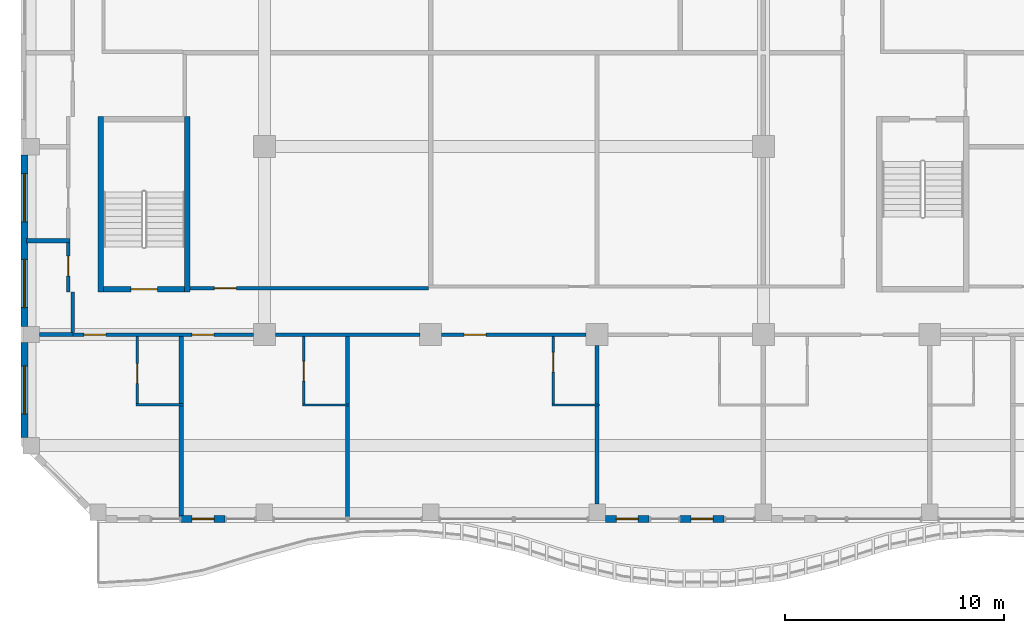
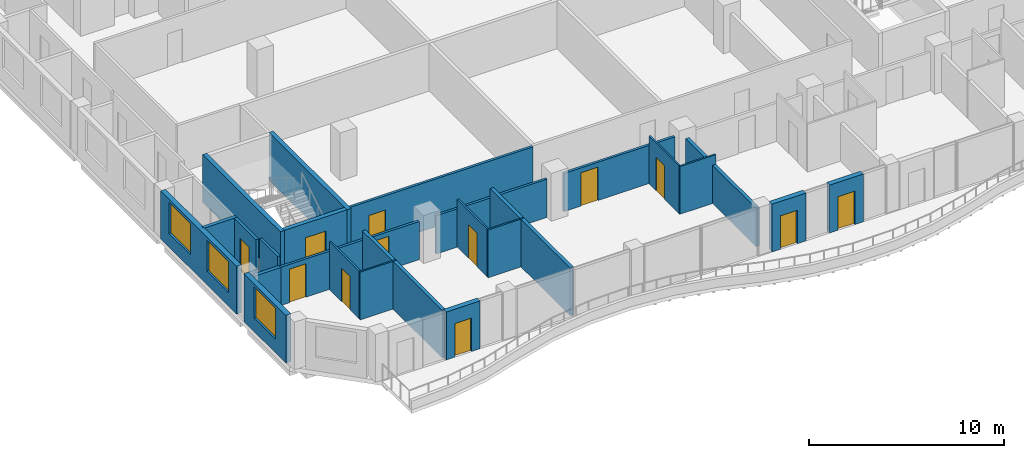
# One storey, part 10 of 22: 28 walls, 12 doors, 3 windows, 15 openings.
"""IFC4 building model written with IfcOpenShell, lengths in metres."""

from ifc_helpers import new_model, si_unit, direction, frame, frame_2d, origin, place, context, subcontext, project, spatial, rectangle, extrude, source, transform, mapped, material, layer, layer_set, type_object, element, fill, save


model = new_model("IFC4")

# Units and contexts
model_context = context("Model", 3, precision=1e-05, world=origin(), true_north=direction((0.0, 1.0)))
body_context = subcontext(model_context, "Body", "Model", "MODEL_VIEW")
ifc_project = project(units=[si_unit("LENGTHUNIT", "METRE"), si_unit("AREAUNIT", "SQUARE_METRE"), si_unit("VOLUMEUNIT", "CUBIC_METRE"), si_unit("PLANEANGLEUNIT", "RADIAN"), si_unit("MASSUNIT", "GRAM", prefix="KILO")], contexts=[model_context])

# Site, building, storey
site_placement = place(None, origin())
site = spatial("IfcSite", under=ifc_project, at=site_placement, CompositionType="ELEMENT")
building_placement = place(site_placement, origin())
building = spatial("IfcBuilding", under=site, at=building_placement, Name="Kilnfold Tower and Market Hall", CompositionType="ELEMENT")
storey_placement = place(building_placement, frame((0.0, 0.0, 220.300048828125)))
storey = spatial("IfcBuildingStorey", under=building, at=storey_placement, Name="L54", CompositionType="ELEMENT", Elevation=220.300048828125)

# Wall, openings, doors
ifc_material_1 = material(Name="Gypsum board on steel studs", Category="steel")
ifc_layer_1 = layer(ifc_material_1, 0.14990234375)
ifc_layer_set_1 = layer_set([ifc_layer_1], Name="Gypsum board on steel studs")
wall_type_1 = type_object("IfcWallType", Name="WALL CORRIDOR 150", PredefinedType="PARTITIONING", material=ifc_layer_set_1)
wall_1_placement = place(storey_placement, frame((-18.89990234375, -17.699951171875, 0.0), z_axis=(0.0, 0.0, 1.0), x_axis=(1.0, 0.0, 0.0)))
wall_1 = element("IfcWall", 1, at=wall_1_placement, inside=storey, type_object=wall_type_1, Name="Partition LY32.1", PredefinedType="PARTITIONING", context=body_context, shape_type="SweptSolid", body=[
    extrude(rectangle(XDim=8.23291015625, YDim=0.14990234375, at=frame_2d((4.116455078125, 0.0))), origin(), (0.0, 0.0, 1.0), 2.39990234375),
])
opening_1_placement = place(wall_1_placement, frame((0.510009765625, 0.0, 0.0)))
opening_1 = element("IfcOpeningElement", 2, at=opening_1_placement, cuts=wall_1, Name="Opening D1", PredefinedType="OPENING", context=body_context, shape_type="SweptSolid", body=[
    extrude(rectangle(XDim=1.0, YDim=2.10009765625, at=frame_2d((0.5, 1.050048828125))), frame((0.0, 0.0849609375, 0.0), z_axis=(0.0, -1.0, 0.0), x_axis=(1.0, 0.0, 0.0)), (0.0, 0.0, 1.0), 0.169921875),
])
opening_2_placement = place(wall_1_placement, frame((5.430908203125, 0.0, 0.0)))
opening_2 = element("IfcOpeningElement", 3, at=opening_2_placement, cuts=wall_1, Name="Opening D1", PredefinedType="OPENING", context=body_context, shape_type="SweptSolid", body=[
    extrude(rectangle(XDim=1.0, YDim=2.10009765625, at=frame_2d((0.5, 1.050048828125))), frame((0.0, 0.0849609375, 0.0), z_axis=(0.0, -1.0, 0.0), x_axis=(1.0, 0.0, 0.0)), (0.0, 0.0, 1.0), 0.169921875),
])
ifc_material_2 = material(Name="Timber veneer door leaf in steel frame", Category="steel")
door_type_1 = type_object("IfcDoorType", Name="DOOR ENTRY 1000 X2100", OperationType="NOTDEFINED", PredefinedType="DOOR", material=ifc_material_2)
door_1_placement = place(opening_1_placement, origin())
door_1 = element("IfcDoor", 4, at=door_1_placement, inside=storey, type_object=door_type_1, Name="Door D1", OperationType="SINGLE_SWING_RIGHT", OverallHeight=2.10009765625, OverallWidth=1.0, PredefinedType="DOOR", context=body_context, shape_type="SweptSolid", body=[
    extrude(rectangle(XDim=1.0, YDim=2.10009765625, at=frame_2d((0.5, 1.050048828125))), frame((0.0, 0.02490234375, 0.0), z_axis=(0.0, -1.0, 0.0), x_axis=(1.0, 0.0, 0.0)), (0.0, 0.0, 1.0), 0.050048828125),
])
fill(opening_1, door_1)
door_2_placement = place(opening_2_placement, origin())
door_2 = element("IfcDoor", 5, at=door_2_placement, inside=storey, type_object=door_type_1, Name="Door D1", OperationType="SINGLE_SWING_RIGHT", OverallHeight=2.10009765625, OverallWidth=1.0, PredefinedType="DOOR", context=body_context, shape_type="SweptSolid", body=[
    extrude(rectangle(XDim=1.0, YDim=2.10009765625, at=frame_2d((0.5, 1.050048828125))), frame((0.0, 0.02490234375, 0.0), z_axis=(0.0, -1.0, 0.0), x_axis=(1.0, 0.0, 0.0)), (0.0, 0.0, 1.0), 0.050048828125),
])
fill(opening_2, door_2)

# Wall
wall_2_placement = place(storey_placement, frame((-9.6669921875, -17.699951171875, 0.0), z_axis=(0.0, 0.0, 1.0), x_axis=(1.0, 0.0, 0.0)))
element("IfcWall", 6, at=wall_2_placement, inside=storey, type_object=wall_type_1, Name="Partition LY32.2", PredefinedType="PARTITIONING", context=body_context, shape_type="SweptSolid", body=[
    extrude(rectangle(XDim=6.583984375, YDim=0.14990234375, at=frame_2d((3.2919921875, 0.0))), origin(), (0.0, 0.0, 1.0), 2.39990234375),
])

# Wall, opening, door
wall_3_placement = place(storey_placement, frame((-2.0830078125, -17.699951171875, 0.0), z_axis=(0.0, 0.0, 1.0), x_axis=(1.0, 0.0, 0.0)))
wall_3 = element("IfcWall", 7, at=wall_3_placement, inside=storey, type_object=wall_type_1, Name="Partition LY32.3", PredefinedType="PARTITIONING", context=body_context, shape_type="SweptSolid", body=[
    extrude(rectangle(XDim=6.5830078125, YDim=0.14990234375, at=frame_2d((3.29150390625, 0.0))), origin(), (0.0, 0.0, 1.0), 2.39990234375),
])
opening_3_placement = place(wall_3_placement, frame((1.02099609375, 0.0, 0.0)))
opening_3 = element("IfcOpeningElement", 8, at=opening_3_placement, cuts=wall_3, Name="Opening D1", PredefinedType="OPENING", context=body_context, shape_type="SweptSolid", body=[
    extrude(rectangle(XDim=1.0, YDim=2.10009765625, at=frame_2d((0.5, 1.050048828125))), frame((0.0, 0.0849609375, 0.0), z_axis=(0.0, -1.0, 0.0), x_axis=(1.0, 0.0, 0.0)), (0.0, 0.0, 1.0), 0.169921875),
])
door_3_placement = place(opening_3_placement, origin())
door_3 = element("IfcDoor", 9, at=door_3_placement, inside=storey, type_object=door_type_1, Name="Door D1", OperationType="SINGLE_SWING_LEFT", OverallHeight=2.10009765625, OverallWidth=1.0, PredefinedType="DOOR", context=body_context, shape_type="SweptSolid", body=[
    extrude(rectangle(XDim=1.0, YDim=2.10009765625, at=frame_2d((0.5, 1.050048828125))), frame((0.0, 0.02490234375, 0.0), z_axis=(0.0, -1.0, 0.0), x_axis=(1.0, 0.0, 0.0)), (0.0, 0.0, 1.0), 0.050048828125),
])
fill(opening_3, door_3)

# Wall
wall_4_placement = place(storey_placement, frame((-18.89990234375, -17.597900390625, 0.0), z_axis=(0.0, 0.0, 1.0), x_axis=(0.0, 1.0, 0.0)))
element("IfcWall", 10, at=wall_4_placement, inside=storey, type_object=wall_type_1, Name="Partition LY32.9", PredefinedType="PARTITIONING", context=body_context, shape_type="SweptSolid", body=[
    extrude(rectangle(XDim=1.85498046875, YDim=0.14990234375, at=frame_2d((0.927490234375, 0.0))), origin(), (0.0, 0.0, 1.0), 3.0),
])

# Wall, opening, door
wall_5_placement = place(storey_placement, frame((-19.113037109375, -15.742919921875, 0.0), z_axis=(0.0, 0.0, 1.0), x_axis=(0.0, 1.0, 0.0)))
wall_5 = element("IfcWall", 11, at=wall_5_placement, inside=storey, type_object=wall_type_1, Name="Partition LY32.10", PredefinedType="PARTITIONING", context=body_context, shape_type="SweptSolid", body=[
    extrude(rectangle(XDim=2.246826171875, YDim=0.14990234375, at=frame_2d((1.12353515625, 0.0))), origin(), (0.0, 0.0, 1.0), 3.0),
])
opening_4_placement = place(wall_5_placement, frame((0.72607421875, 0.0, 0.0)))
opening_4 = element("IfcOpeningElement", 12, at=opening_4_placement, cuts=wall_5, Name="Opening D2", PredefinedType="OPENING", context=body_context, shape_type="SweptSolid", body=[
    extrude(rectangle(XDim=0.89990234375, YDim=2.10009765625, at=frame_2d((0.449951171875, 1.050048828125))), frame((0.0, 0.0849609375, 0.0), z_axis=(0.0, -1.0, 0.0), x_axis=(1.0, 0.0, 0.0)), (0.0, 0.0, 1.0), 0.169921875),
])
ifc_material_3 = material(Name="Timber veneer door leaf in steel frame", Category="steel")
door_type_2 = type_object("IfcDoorType", Name="DOOR ROOM 900 X2100", OperationType="NOTDEFINED", PredefinedType="DOOR", material=ifc_material_3)
door_4_placement = place(opening_4_placement, origin())
door_4 = element("IfcDoor", 13, at=door_4_placement, inside=storey, type_object=door_type_2, Name="Door D2", OperationType="SINGLE_SWING_LEFT", OverallHeight=2.10009765625, OverallWidth=0.89990234375, PredefinedType="DOOR", context=body_context, shape_type="SweptSolid", body=[
    extrude(rectangle(XDim=0.89990234375, YDim=2.10009765625, at=frame_2d((0.449951171875, 1.050048828125))), frame((0.0, 0.02490234375, 0.0), z_axis=(0.0, -1.0, 0.0), x_axis=(1.0, 0.0, 0.0)), (0.0, 0.0, 1.0), 0.050048828125),
])
fill(opening_4, door_4)

wall_6_placement = place(storey_placement, frame((-2.693115234375, -15.574951171875, 0.0), z_axis=(0.0, 0.0, 1.0), x_axis=(-1.0, 0.0, 0.0)))
wall_6 = element("IfcWall", 14, at=wall_6_placement, inside=storey, type_object=wall_type_1, Name="Partition LY32.39", PredefinedType="PARTITIONING", context=body_context, shape_type="SweptSolid", body=[
    extrude(rectangle(XDim=10.85693359375, YDim=0.14990234375, at=frame_2d((5.428466796875, 0.0))), origin(), (0.0, 0.0, 1.0), 3.0),
])
opening_5_placement = place(wall_6_placement, frame((8.75, 0.0, 0.0)))
opening_5 = element("IfcOpeningElement", 15, at=opening_5_placement, cuts=wall_6, Name="Opening D4", PredefinedType="OPENING", context=body_context, shape_type="SweptSolid", body=[
    extrude(rectangle(XDim=1.0, YDim=2.10009765625, at=frame_2d((0.5, 1.050048828125))), frame((0.0, 0.0849609375, 0.0), z_axis=(0.0, -1.0, 0.0), x_axis=(1.0, 0.0, 0.0)), (0.0, 0.0, 1.0), 0.169921875),
])
ifc_material_4 = material(Name="Timber veneer door leaf in steel frame", Category="steel")
door_type_3 = type_object("IfcDoorType", Name="DOOR SERVICE 1000 X2100", OperationType="NOTDEFINED", PredefinedType="DOOR", material=ifc_material_4)
door_5_placement = place(opening_5_placement, origin())
door_5 = element("IfcDoor", 16, at=door_5_placement, inside=storey, type_object=door_type_3, Name="Door D4", OperationType="SINGLE_SWING_RIGHT", OverallHeight=2.10009765625, OverallWidth=1.0, PredefinedType="DOOR", context=body_context, shape_type="SweptSolid", body=[
    extrude(rectangle(XDim=1.0, YDim=2.10009765625, at=frame_2d((0.5, 1.050048828125))), frame((0.0, 0.02490234375, 0.0), z_axis=(0.0, -1.0, 0.0), x_axis=(1.0, 0.0, 0.0)), (0.0, 0.0, 1.0), 0.050048828125),
])
fill(opening_5, door_5)

ifc_material_5 = material(Name="Gypsum board on steel studs", Category="steel")
ifc_layer_2 = layer(ifc_material_5, 0.10009765625)
ifc_layer_set_2 = layer_set([ifc_layer_2], Name="Gypsum board on steel studs")
wall_type_2 = type_object("IfcWallType", Name="WALL PARTITION 100", PredefinedType="PARTITIONING", material=ifc_layer_set_2)
wall_7_placement = place(storey_placement, frame((-15.958984375, -20.837890625, 0.0), z_axis=(0.0, 0.0, 1.0), x_axis=(0.0, 1.0, 0.0)))
wall_7 = element("IfcWall", 17, at=wall_7_placement, inside=storey, type_object=wall_type_2, Name="Partition LY32.42", PredefinedType="PARTITIONING", context=body_context, shape_type="SweptSolid", body=[
    extrude(rectangle(XDim=3.060791015625, YDim=0.10009765625, at=frame_2d((1.5302734375, 0.0))), origin(), (0.0, 0.0, 1.0), 3.0),
])
opening_6_placement = place(wall_7_placement, frame((0.925048828125, 0.0, 0.0)))
opening_6 = element("IfcOpeningElement", 18, at=opening_6_placement, cuts=wall_7, Name="Opening D3", PredefinedType="OPENING", context=body_context, shape_type="SweptSolid", body=[
    extrude(rectangle(XDim=0.89990234375, YDim=2.10009765625, at=frame_2d((0.449951171875, 1.050048828125))), frame((0.0, 0.06005859375, 0.0), z_axis=(0.0, -1.0, 0.0), x_axis=(1.0, 0.0, 0.0)), (0.0, 0.0, 1.0), 0.1201171875),
])
ifc_material_6 = material(Name="Timber veneer door leaf in steel frame", Category="steel")
door_type_4 = type_object("IfcDoorType", Name="DOOR WC 900 X2100", OperationType="NOTDEFINED", PredefinedType="DOOR", material=ifc_material_6)
door_6_placement = place(opening_6_placement, origin())
door_6 = element("IfcDoor", 19, at=door_6_placement, inside=storey, type_object=door_type_4, Name="Door D3", OperationType="SINGLE_SWING_RIGHT", OverallHeight=2.10009765625, OverallWidth=0.89990234375, PredefinedType="DOOR", context=body_context, shape_type="SweptSolid", body=[
    extrude(rectangle(XDim=0.89990234375, YDim=2.10009765625, at=frame_2d((0.449951171875, 1.050048828125))), frame((0.0, 0.02490234375, 0.0), z_axis=(0.0, -1.0, 0.0), x_axis=(1.0, 0.0, 0.0)), (0.0, 0.0, 1.0), 0.050048828125),
])
fill(opening_6, door_6)

# Wall
wall_8_placement = place(storey_placement, frame((-16.009033203125, -20.887939453125, 0.0), z_axis=(0.0, 0.0, 1.0), x_axis=(1.0, 0.0, 0.0)))
element("IfcWall", 20, at=wall_8_placement, inside=storey, type_object=wall_type_2, Name="Partition LY32.43", PredefinedType="PARTITIONING", context=body_context, shape_type="SweptSolid", body=[
    extrude(rectangle(XDim=2.150146484375, YDim=0.10009765625, at=frame_2d((1.0751953125, 0.0))), origin(), (0.0, 0.0, 1.0), 3.0),
])

# Wall, opening, door
wall_9_placement = place(storey_placement, frame((-8.375, -20.85205078125, 0.0), z_axis=(0.0, 0.0, 1.0), x_axis=(0.0, 1.0, 0.0)))
wall_9 = element("IfcWall", 21, at=wall_9_placement, inside=storey, type_object=wall_type_2, Name="Partition LY32.47", PredefinedType="PARTITIONING", context=body_context, shape_type="SweptSolid", body=[
    extrude(rectangle(XDim=3.074951171875, YDim=0.10009765625, at=frame_2d((1.53759765625, 0.0))), origin(), (0.0, 0.0, 1.0), 3.0),
])
opening_7_placement = place(wall_9_placement, frame((1.034912109375, 0.0, 0.0)))
opening_7 = element("IfcOpeningElement", 22, at=opening_7_placement, cuts=wall_9, Name="Opening D3", PredefinedType="OPENING", context=body_context, shape_type="SweptSolid", body=[
    extrude(rectangle(XDim=0.89990234375, YDim=2.10009765625, at=frame_2d((0.449951171875, 1.050048828125))), frame((0.0, 0.06005859375, 0.0), z_axis=(0.0, -1.0, 0.0), x_axis=(1.0, 0.0, 0.0)), (0.0, 0.0, 1.0), 0.1201171875),
])
door_7_placement = place(opening_7_placement, origin())
door_7 = element("IfcDoor", 23, at=door_7_placement, inside=storey, type_object=door_type_4, Name="Door D3", OperationType="SINGLE_SWING_LEFT", OverallHeight=2.10009765625, OverallWidth=0.89990234375, PredefinedType="DOOR", context=body_context, shape_type="SweptSolid", body=[
    extrude(rectangle(XDim=0.89990234375, YDim=2.10009765625, at=frame_2d((0.449951171875, 1.050048828125))), frame((0.0, 0.02490234375, 0.0), z_axis=(0.0, -1.0, 0.0), x_axis=(1.0, 0.0, 0.0)), (0.0, 0.0, 1.0), 0.050048828125),
])
fill(opening_7, door_7)

# Wall
wall_10_placement = place(storey_placement, frame((-8.425048828125, -20.902099609375, 0.0), z_axis=(0.0, 0.0, 1.0), x_axis=(1.0, 0.0, 0.0)))
element("IfcWall", 24, at=wall_10_placement, inside=storey, type_object=wall_type_2, Name="Partition LY32.48", PredefinedType="PARTITIONING", context=body_context, shape_type="SweptSolid", body=[
    extrude(rectangle(XDim=2.150146484375, YDim=0.10009765625, at=frame_2d((1.0751953125, 0.0))), origin(), (0.0, 0.0, 1.0), 3.0),
])

# Wall, opening, door
wall_11_placement = place(storey_placement, frame((3.0, -20.85205078125, 0.0), z_axis=(0.0, 0.0, 1.0), x_axis=(0.0, 1.0, 0.0)))
wall_11 = element("IfcWall", 25, at=wall_11_placement, inside=storey, type_object=wall_type_2, Name="Partition LY32.51", PredefinedType="PARTITIONING", context=body_context, shape_type="SweptSolid", body=[
    extrude(rectangle(XDim=3.074951171875, YDim=0.10009765625, at=frame_2d((1.53759765625, 0.0))), origin(), (0.0, 0.0, 1.0), 3.0),
])
opening_8_placement = place(wall_11_placement, frame((1.452880859375, 0.0, 0.0)))
opening_8 = element("IfcOpeningElement", 26, at=opening_8_placement, cuts=wall_11, Name="Opening D3", PredefinedType="OPENING", context=body_context, shape_type="SweptSolid", body=[
    extrude(rectangle(XDim=0.89990234375, YDim=2.10009765625, at=frame_2d((0.449951171875, 1.050048828125))), frame((0.0, 0.06005859375, 0.0), z_axis=(0.0, -1.0, 0.0), x_axis=(1.0, 0.0, 0.0)), (0.0, 0.0, 1.0), 0.1201171875),
])
door_8_placement = place(opening_8_placement, origin())
door_8 = element("IfcDoor", 27, at=door_8_placement, inside=storey, type_object=door_type_4, Name="Door D3", OperationType="SINGLE_SWING_LEFT", OverallHeight=2.10009765625, OverallWidth=0.89990234375, PredefinedType="DOOR", context=body_context, shape_type="SweptSolid", body=[
    extrude(rectangle(XDim=0.89990234375, YDim=2.10009765625, at=frame_2d((0.449951171875, 1.050048828125))), frame((0.0, 0.02490234375, 0.0), z_axis=(0.0, -1.0, 0.0), x_axis=(1.0, 0.0, 0.0)), (0.0, 0.0, 1.0), 0.050048828125),
])
fill(opening_8, door_8)

# Walls
wall_12_placement = place(storey_placement, frame((2.949951171875, -20.902099609375, 0.0), z_axis=(0.0, 0.0, 1.0), x_axis=(1.0, 0.0, 0.0)))
element("IfcWall", 28, at=wall_12_placement, inside=storey, type_object=wall_type_2, Name="Partition LY32.52", PredefinedType="PARTITIONING", context=body_context, shape_type="SweptSolid", body=[
    extrude(rectangle(XDim=2.150146484375, YDim=0.10009765625, at=frame_2d((1.0751953125, 0.0))), origin(), (0.0, 0.0, 1.0), 3.0),
])
ifc_material_7 = material(Name="Gypsum board on steel studs", Category="steel")
ifc_layer_3 = layer(ifc_material_7, 0.199951171875)
ifc_layer_set_3 = layer_set([ifc_layer_3], Name="Gypsum board on steel studs")
wall_type_3 = type_object("IfcWallType", Name="WALL PARTY 200", PredefinedType="PARTITIONING", material=ifc_layer_set_3)
wall_13_placement = place(storey_placement, frame((-13.958984375, -26.0, 0.0), z_axis=(0.0, 0.0, 1.0), x_axis=(0.0, 1.0, 0.0)))
element("IfcWall", 29, at=wall_13_placement, inside=storey, type_object=wall_type_3, Name="Partition LY32.44", PredefinedType="PARTITIONING", context=body_context, shape_type="SweptSolid", body=[
    extrude(rectangle(XDim=5.06201171875, YDim=0.199951171875, at=frame_2d((2.531005859375, 0.0))), origin(), (0.0, 0.0, 1.0), 3.0),
])
wall_14_placement = place(storey_placement, frame((-20.425048828125, -17.68798828125, 0.0), z_axis=(0.0, 0.0, 1.0), x_axis=(1.0, 0.0, 0.0)))
element("IfcWall", 30, at=wall_14_placement, inside=storey, type_object=wall_type_3, Name="Partition LY32.45", PredefinedType="PARTITIONING", context=body_context, shape_type="SweptSolid", body=[
    extrude(rectangle(XDim=1.52294921875, YDim=0.199951171875, at=frame_2d((0.761474609375, 0.0))), origin(), (0.0, 0.0, 1.0), 2.39990234375),
])
wall_15_placement = place(storey_placement, frame((-13.958984375, -20.837890625, 0.0), z_axis=(0.0, 0.0, 1.0), x_axis=(0.0, 1.0, 0.0)))
element("IfcWall", 31, at=wall_15_placement, inside=storey, type_object=wall_type_3, Name="Partition LY32.46", PredefinedType="PARTITIONING", context=body_context, shape_type="SweptSolid", body=[
    extrude(rectangle(XDim=3.060791015625, YDim=0.199951171875, at=frame_2d((1.5302734375, 0.0))), origin(), (0.0, 0.0, 1.0), 3.0),
])
wall_16_placement = place(storey_placement, frame((-6.375, -26.0, 0.0), z_axis=(0.0, 0.0, 1.0), x_axis=(0.0, 1.0, 0.0)))
element("IfcWall", 32, at=wall_16_placement, inside=storey, type_object=wall_type_3, Name="Partition LY32.49", PredefinedType="PARTITIONING", context=body_context, shape_type="SweptSolid", body=[
    extrude(rectangle(XDim=5.048095703125, YDim=0.199951171875, at=frame_2d((2.52392578125, 0.0))), origin(), (0.0, 0.0, 1.0), 3.0),
])
wall_17_placement = place(storey_placement, frame((-6.375, -20.85205078125, 0.0), z_axis=(0.0, 0.0, 1.0), x_axis=(0.0, 1.0, 0.0)))
element("IfcWall", 33, at=wall_17_placement, inside=storey, type_object=wall_type_3, Name="Partition LY32.50", PredefinedType="PARTITIONING", context=body_context, shape_type="SweptSolid", body=[
    extrude(rectangle(XDim=3.074951171875, YDim=0.199951171875, at=frame_2d((1.53759765625, 0.0))), origin(), (0.0, 0.0, 1.0), 3.0),
])
wall_18_placement = place(storey_placement, frame((5.0, -25.425048828125, 0.0), z_axis=(0.0, 0.0, 1.0), x_axis=(0.0, 1.0, 0.0)))
element("IfcWall", 34, at=wall_18_placement, inside=storey, type_object=wall_type_3, Name="Partition LY32.53", PredefinedType="PARTITIONING", context=body_context, shape_type="SweptSolid", body=[
    extrude(rectangle(XDim=4.47314453125, YDim=0.199951171875, at=frame_2d((2.236572265625, 0.0))), origin(), (0.0, 0.0, 1.0), 2.39990234375),
])
wall_19_placement = place(storey_placement, frame((5.0, -20.85205078125, 0.0), z_axis=(0.0, 0.0, 1.0), x_axis=(0.0, 1.0, 0.0)))
element("IfcWall", 35, at=wall_19_placement, inside=storey, type_object=wall_type_3, Name="Partition LY32.54", PredefinedType="PARTITIONING", context=body_context, shape_type="SweptSolid", body=[
    extrude(rectangle(XDim=2.6640625, YDim=0.199951171875, at=frame_2d((1.33203125, 0.0))), origin(), (0.0, 0.0, 1.0), 2.39990234375),
])
wall_20_placement = place(storey_placement, frame((-19.027099609375, -13.406005859375, 0.0), z_axis=(0.0, 0.0, 1.0), x_axis=(-1.0, 0.0, 0.0)))
element("IfcWall", 36, at=wall_20_placement, inside=storey, type_object=wall_type_3, Name="Partition LY32.71", PredefinedType="PARTITIONING", context=body_context, shape_type="SweptSolid", body=[
    extrude(rectangle(XDim=1.972900390625, YDim=0.199951171875, at=frame_2d((0.986328125, 0.0))), origin(), (0.0, 0.0, 1.0), 3.0),
])

# Wall, opening, door
ifc_material_8 = material(Name="Concrete C60", Category="concrete")
ifc_layer_4 = layer(ifc_material_8, 0.25)
ifc_layer_set_4 = layer_set([ifc_layer_4], Name="Concrete C60")
wall_type_4 = type_object("IfcWallType", Name="CORE WALL 250 C60", PredefinedType="SHEAR", material=ifc_layer_set_4)
shared_shape_1 = source(origin(), body_context, "Body", "SweptSolid", [
    extrude(rectangle(XDim=3.699951171875, YDim=0.25, at=frame_2d((1.85009765625, 0.0))), origin(), (0.0, 0.0, 1.0), 3.0),
])
wall_21_placement = place(storey_placement, frame((-17.5, -15.625, 0.0), z_axis=(0.0, 0.0, 1.0), x_axis=(1.0, 0.0, 0.0)))
wall_21 = element("IfcWall", 37, at=wall_21_placement, inside=storey, type_object=wall_type_4, Name="Stair enclosure ST3", PredefinedType="SHEAR", context=body_context, shape_type="MappedRepresentation", body=[
    mapped(shared_shape_1, transform((0.0, 0.0, 0.0))),
])
opening_9_placement = place(wall_21_placement, frame((1.25, 0.0, 0.0)))
opening_9 = element("IfcOpeningElement", 38, at=opening_9_placement, cuts=wall_21, Name="Opening SD1", PredefinedType="OPENING", context=body_context, shape_type="SweptSolid", body=[
    extrude(rectangle(XDim=1.199951171875, YDim=2.10009765625, at=frame_2d((0.60009765625, 1.050048828125))), frame((0.0, 0.135009765625, 0.0), z_axis=(0.0, -1.0, 0.0), x_axis=(1.0, 0.0, 0.0)), (0.0, 0.0, 1.0), 0.27001953125),
])
ifc_material_9 = material(Name="Steel door set with fire-resisting leaf", Category="steel")
door_type_5 = type_object("IfcDoorType", Name="STAIR FLOOR DOOR 1200X2100", OperationType="NOTDEFINED", PredefinedType="DOOR", material=ifc_material_9)
door_9_placement = place(opening_9_placement, origin())
door_9 = element("IfcDoor", 39, at=door_9_placement, inside=storey, type_object=door_type_5, Name="Exit stair ST3 door", OperationType="DOUBLE_DOOR_SINGLE_SWING", OverallHeight=2.10009765625, OverallWidth=1.199951171875, PredefinedType="DOOR", context=body_context, shape_type="SweptSolid", body=[
    extrude(rectangle(XDim=1.199951171875, YDim=2.10009765625, at=frame_2d((0.60009765625, 1.050048828125))), frame((0.0, 0.02490234375, 0.0), z_axis=(0.0, -1.0, 0.0), x_axis=(1.0, 0.0, 0.0)), (0.0, 0.0, 1.0), 0.050048828125),
])
fill(opening_9, door_9)

# Walls
shared_shape_2 = source(origin(), body_context, "Body", "SweptSolid", [
    extrude(rectangle(XDim=8.0, YDim=0.25, at=frame_2d((4.0, 0.0))), origin(), (0.0, 0.0, 1.0), 3.0),
])
for number, where, z_axis, x_axis, name in (
    (40, (-17.625, -15.75, 0.0), (0.0, 0.0, 1.0), (0.0, 1.0, 0.0), "Stair enclosure ST3"),
    (41, (-13.675048828125, -15.75, 0.0), (0.0, 0.0, 1.0), (0.0, 1.0, 0.0), "Stair enclosure ST3"),
):
    element("IfcWall", number, at=place(storey_placement, frame(where, z_axis=z_axis, x_axis=x_axis)), inside=storey, type_object=wall_type_4, Name=name, PredefinedType="SHEAR", context=body_context, shape_type="MappedRepresentation", body=[
        mapped(shared_shape_2, transform((0.0, 0.0, 0.0))),
    ])

# Wall, opening, door
ifc_material_10 = material(Name="Precast concrete C50/60", Category="concrete")
ifc_layer_5 = layer(ifc_material_10, 0.300048828125)
ifc_layer_set_5 = layer_set([ifc_layer_5], Name="Precast concrete C50/60")
wall_type_5 = type_object("IfcWallType", Name="PRECAST WALL 300", PredefinedType="SOLIDWALL", material=ifc_layer_set_5)
shared_shape_3 = source(origin(), body_context, "Body", "SweptSolid", [
    extrude(rectangle(XDim=2.0, YDim=0.300048828125, at=frame_2d((1.0, 0.0))), origin(), (0.0, 0.0, 1.0), 3.0),
])
wall_22_placement = place(storey_placement, frame((-13.958251953125, -26.10009765625, 0.0), z_axis=(0.0, 0.0, 1.0), x_axis=(1.0, 0.0, 0.0)))
wall_22 = element("IfcWall", 42, at=wall_22_placement, inside=storey, type_object=wall_type_5, Name="External wall L54 S", PredefinedType="SOLIDWALL", context=body_context, shape_type="MappedRepresentation", body=[
    mapped(shared_shape_3, transform((0.0, 0.0, 0.0))),
])
opening_10_placement = place(wall_22_placement, frame((0.5, 0.0, 0.0)))
opening_10 = element("IfcOpeningElement", 43, at=opening_10_placement, cuts=wall_22, Name="Opening BD1", PredefinedType="OPENING", context=body_context, shape_type="SweptSolid", body=[
    extrude(rectangle(XDim=1.0, YDim=2.10009765625, at=frame_2d((0.5, 1.050048828125))), frame((0.0, 0.16015625, 0.0), z_axis=(0.0, -1.0, 0.0), x_axis=(1.0, 0.0, 0.0)), (0.0, 0.0, 1.0), 0.320068359375),
])
ifc_material_11 = material(Name="Aluminium frame and double glazing", Category="aluminium")
door_type_6 = type_object("IfcDoorType", Name="BALCONY DOOR 1000X2100", OperationType="NOTDEFINED", PredefinedType="DOOR", material=ifc_material_11)
door_10_placement = place(opening_10_placement, origin())
door_10 = element("IfcDoor", 44, at=door_10_placement, inside=storey, type_object=door_type_6, Name="Balcony door BD1 L54 S-2", OperationType="SINGLE_SWING_RIGHT", OverallHeight=2.10009765625, OverallWidth=1.0, PredefinedType="DOOR", context=body_context, shape_type="SweptSolid", body=[
    extrude(rectangle(XDim=1.0, YDim=2.10009765625, at=frame_2d((0.5, 1.050048828125))), frame((0.0, 0.02490234375, 0.0), z_axis=(0.0, -1.0, 0.0), x_axis=(1.0, 0.0, 0.0)), (0.0, 0.0, 1.0), 0.050048828125),
])
fill(opening_10, door_10)

wall_23_placement = place(storey_placement, frame((5.375, -26.10009765625, 0.0), z_axis=(0.0, 0.0, 1.0), x_axis=(1.0, 0.0, 0.0)))
wall_23 = element("IfcWall", 45, at=wall_23_placement, inside=storey, type_object=wall_type_5, Name="External wall L54 S", PredefinedType="SOLIDWALL", context=body_context, shape_type="MappedRepresentation", body=[
    mapped(shared_shape_3, transform((0.0, 0.0, 0.0))),
])
opening_11_placement = place(wall_23_placement, frame((0.5, 0.0, 0.0)))
opening_11 = element("IfcOpeningElement", 46, at=opening_11_placement, cuts=wall_23, Name="Opening BD1", PredefinedType="OPENING", context=body_context, shape_type="SweptSolid", body=[
    extrude(rectangle(XDim=1.0, YDim=2.10009765625, at=frame_2d((0.5, 1.050048828125))), frame((0.0, 0.16015625, 0.0), z_axis=(0.0, -1.0, 0.0), x_axis=(1.0, 0.0, 0.0)), (0.0, 0.0, 1.0), 0.320068359375),
])
door_11_placement = place(opening_11_placement, origin())
door_11 = element("IfcDoor", 47, at=door_11_placement, inside=storey, type_object=door_type_6, Name="Balcony door BD1 L54 S-1", OperationType="SINGLE_SWING_LEFT", OverallHeight=2.10009765625, OverallWidth=1.0, PredefinedType="DOOR", context=body_context, shape_type="SweptSolid", body=[
    extrude(rectangle(XDim=1.0, YDim=2.10009765625, at=frame_2d((0.5, 1.050048828125))), frame((0.0, 0.02490234375, 0.0), z_axis=(0.0, -1.0, 0.0), x_axis=(1.0, 0.0, 0.0)), (0.0, 0.0, 1.0), 0.050048828125),
])
fill(opening_11, door_11)

wall_24_placement = place(storey_placement, frame((8.791748046875, -26.10009765625, 0.0), z_axis=(0.0, 0.0, 1.0), x_axis=(1.0, 0.0, 0.0)))
wall_24 = element("IfcWall", 48, at=wall_24_placement, inside=storey, type_object=wall_type_5, Name="External wall L54 S", PredefinedType="SOLIDWALL", context=body_context, shape_type="MappedRepresentation", body=[
    mapped(shared_shape_3, transform((0.0, 0.0, 0.0))),
])
opening_12_placement = place(wall_24_placement, frame((0.5, 0.0, 0.0)))
opening_12 = element("IfcOpeningElement", 49, at=opening_12_placement, cuts=wall_24, Name="Opening BD1", PredefinedType="OPENING", context=body_context, shape_type="SweptSolid", body=[
    extrude(rectangle(XDim=1.0, YDim=2.10009765625, at=frame_2d((0.5, 1.050048828125))), frame((0.0, 0.16015625, 0.0), z_axis=(0.0, -1.0, 0.0), x_axis=(1.0, 0.0, 0.0)), (0.0, 0.0, 1.0), 0.320068359375),
])
door_12_placement = place(opening_12_placement, origin())
door_12 = element("IfcDoor", 50, at=door_12_placement, inside=storey, type_object=door_type_6, Name="Balcony door BD1 L54 S-2", OperationType="SINGLE_SWING_RIGHT", OverallHeight=2.10009765625, OverallWidth=1.0, PredefinedType="DOOR", context=body_context, shape_type="SweptSolid", body=[
    extrude(rectangle(XDim=1.0, YDim=2.10009765625, at=frame_2d((0.5, 1.050048828125))), frame((0.0, 0.02490234375, 0.0), z_axis=(0.0, -1.0, 0.0), x_axis=(1.0, 0.0, 0.0)), (0.0, 0.0, 1.0), 0.050048828125),
])
fill(opening_12, door_12)

# Wall, openings, windows
shared_shape_4 = source(origin(), body_context, "Body", "SweptSolid", [
    extrude(rectangle(XDim=7.8125, YDim=0.300048828125, at=frame_2d((3.90625, 0.0))), origin(), (0.0, 0.0, 1.0), 3.0),
])
wall_25_placement = place(storey_placement, frame((-21.10009765625, -9.5, 0.0), z_axis=(0.0, 0.0, 1.0), x_axis=(0.0, -1.0, 0.0)))
wall_25 = element("IfcWall", 51, at=wall_25_placement, inside=storey, type_object=wall_type_5, Name="External wall L54 W", PredefinedType="SOLIDWALL", context=body_context, shape_type="MappedRepresentation", body=[
    mapped(shared_shape_4, transform((0.0, 0.0, 0.0))),
])
opening_13_placement = place(wall_25_placement, frame((0.85302734375, 0.0, 0.85009765625)))
opening_13 = element("IfcOpeningElement", 52, at=opening_13_placement, cuts=wall_25, Name="Opening W2", PredefinedType="OPENING", context=body_context, shape_type="SweptSolid", body=[
    extrude(rectangle(XDim=2.199951171875, YDim=1.949951171875, at=frame_2d((1.10009765625, 0.97509765625))), frame((0.0, 0.16015625, 0.0), z_axis=(0.0, -1.0, 0.0), x_axis=(1.0, 0.0, 0.0)), (0.0, 0.0, 1.0), 0.320068359375),
])
opening_14_placement = place(wall_25_placement, frame((4.75927734375, 0.0, 0.85009765625)))
opening_14 = element("IfcOpeningElement", 53, at=opening_14_placement, cuts=wall_25, Name="Opening W2", PredefinedType="OPENING", context=body_context, shape_type="SweptSolid", body=[
    extrude(rectangle(XDim=2.199951171875, YDim=1.949951171875, at=frame_2d((1.10009765625, 0.97509765625))), frame((0.0, 0.16015625, 0.0), z_axis=(0.0, -1.0, 0.0), x_axis=(1.0, 0.0, 0.0)), (0.0, 0.0, 1.0), 0.320068359375),
])
ifc_material_12 = material(Name="Aluminium frame and double glazing", Category="aluminium")
window_type = type_object("IfcWindowType", Name="WINDOW W2 2200X1950", PartitioningType="SINGLE_PANEL", PredefinedType="WINDOW", material=ifc_material_12)
window_1_placement = place(opening_13_placement, origin())
window_1 = element("IfcWindow", 54, at=window_1_placement, inside=storey, type_object=window_type, Name="Window W2 L54 W-1", OverallHeight=1.949951171875, OverallWidth=2.199951171875, PartitioningType="SINGLE_PANEL", PredefinedType="WINDOW", context=body_context, shape_type="SweptSolid", body=[
    extrude(rectangle(XDim=2.199951171875, YDim=1.949951171875, at=frame_2d((1.10009765625, 0.97509765625))), frame((0.0, 0.030029296875, 0.0), z_axis=(0.0, -1.0, 0.0), x_axis=(1.0, 0.0, 0.0)), (0.0, 0.0, 1.0), 0.06005859375),
])
fill(opening_13, window_1)
window_2_placement = place(opening_14_placement, origin())
window_2 = element("IfcWindow", 55, at=window_2_placement, inside=storey, type_object=window_type, Name="Window W2 L54 W-2", OverallHeight=1.949951171875, OverallWidth=2.199951171875, PartitioningType="SINGLE_PANEL", PredefinedType="WINDOW", context=body_context, shape_type="SweptSolid", body=[
    extrude(rectangle(XDim=2.199951171875, YDim=1.949951171875, at=frame_2d((1.10009765625, 0.97509765625))), frame((0.0, 0.030029296875, 0.0), z_axis=(0.0, -1.0, 0.0), x_axis=(1.0, 0.0, 0.0)), (0.0, 0.0, 1.0), 0.06005859375),
])
fill(opening_14, window_2)

# Wall, opening, window
shared_shape_5 = source(origin(), body_context, "Body", "SweptSolid", [
    extrude(rectangle(XDim=4.3125, YDim=0.300048828125, at=frame_2d((2.15625, 0.0))), origin(), (0.0, 0.0, 1.0), 3.0),
])
wall_26_placement = place(storey_placement, frame((-21.10009765625, -18.0625, 0.0), z_axis=(0.0, 0.0, 1.0), x_axis=(0.0, -1.0, 0.0)))
wall_26 = element("IfcWall", 56, at=wall_26_placement, inside=storey, type_object=wall_type_5, Name="External wall L54 W", PredefinedType="SOLIDWALL", context=body_context, shape_type="MappedRepresentation", body=[
    mapped(shared_shape_5, transform((0.0, 0.0, 0.0))),
])
opening_15_placement = place(wall_26_placement, frame((1.05615234375, 0.0, 0.85009765625)))
opening_15 = element("IfcOpeningElement", 57, at=opening_15_placement, cuts=wall_26, Name="Opening W2", PredefinedType="OPENING", context=body_context, shape_type="SweptSolid", body=[
    extrude(rectangle(XDim=2.199951171875, YDim=1.949951171875, at=frame_2d((1.10009765625, 0.97509765625))), frame((0.0, 0.16015625, 0.0), z_axis=(0.0, -1.0, 0.0), x_axis=(1.0, 0.0, 0.0)), (0.0, 0.0, 1.0), 0.320068359375),
])
window_3_placement = place(opening_15_placement, origin())
window_3 = element("IfcWindow", 58, at=window_3_placement, inside=storey, type_object=window_type, Name="Window W2 L54 W-1", OverallHeight=1.949951171875, OverallWidth=2.199951171875, PartitioningType="SINGLE_PANEL", PredefinedType="WINDOW", context=body_context, shape_type="SweptSolid", body=[
    extrude(rectangle(XDim=2.199951171875, YDim=1.949951171875, at=frame_2d((1.10009765625, 0.97509765625))), frame((0.0, 0.030029296875, 0.0), z_axis=(0.0, -1.0, 0.0), x_axis=(1.0, 0.0, 0.0)), (0.0, 0.0, 1.0), 0.06005859375),
])
fill(opening_15, window_3)

save(model, "model.ifc")
